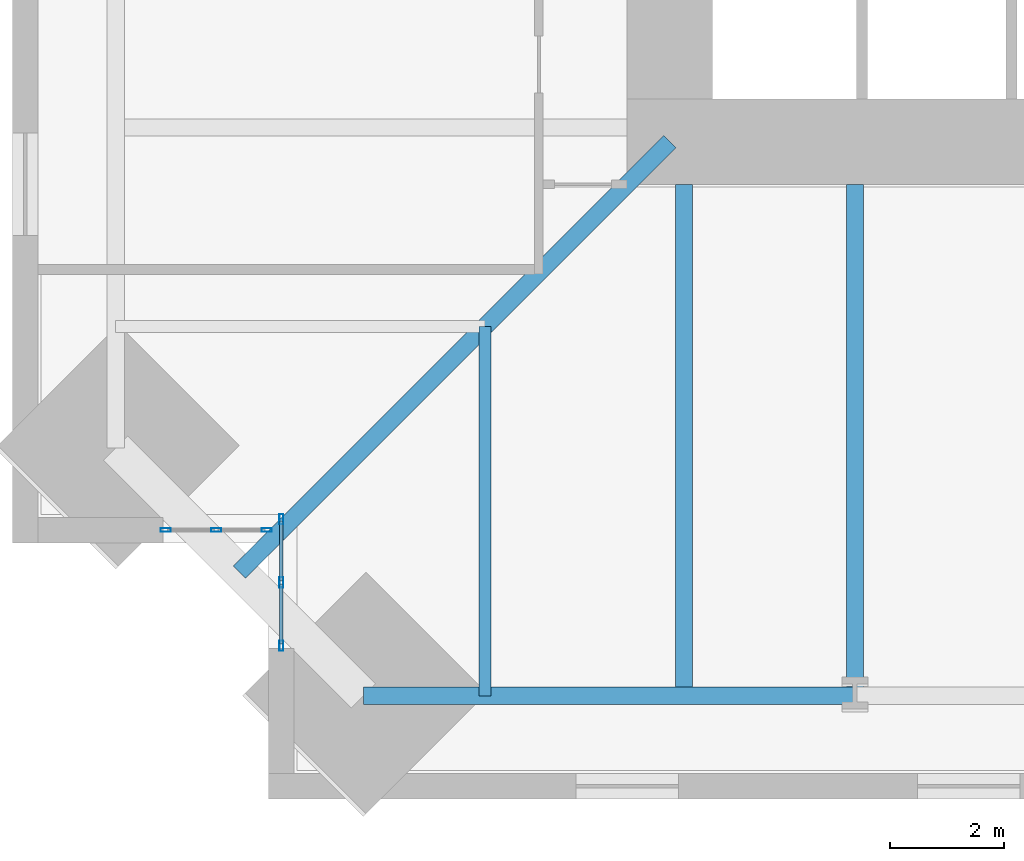
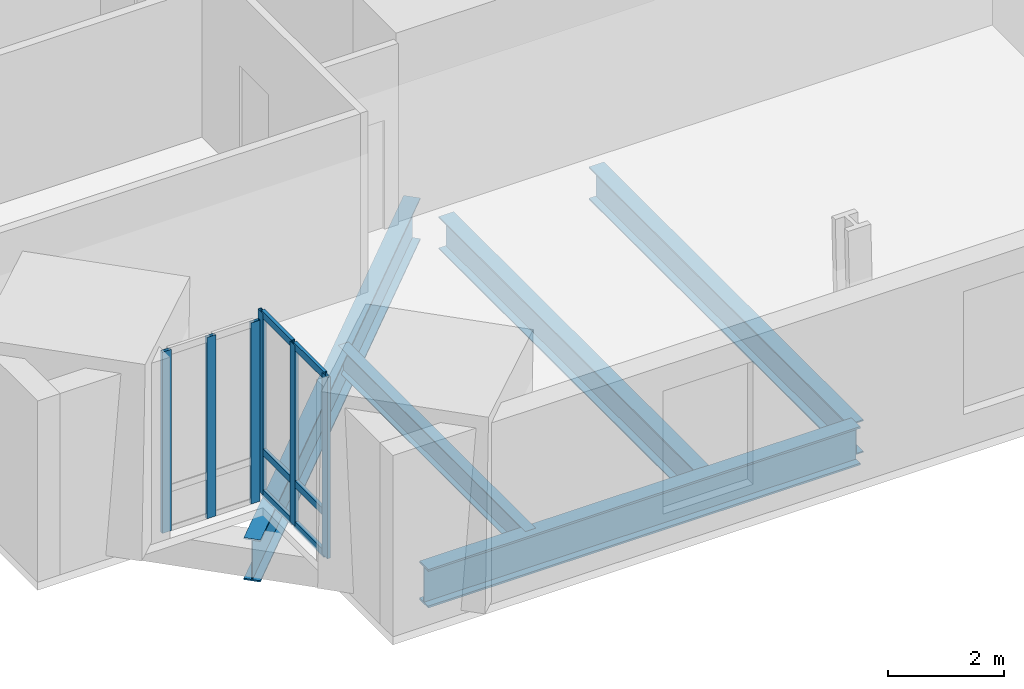
# One storey, part 2 of 15: 12 members, 5 beams, 2 elements without a shape of their own.
"""IFC4 building model written with IfcOpenShell, lengths in metres."""

from ifc_helpers import new_model, si_unit, direction, frame, origin, origin_2d, place, context, subcontext, project, spatial, hollow_rectangle, i_section, extrude, material, material_profile, profile_set, type_object, element, aggregate, save


model = new_model("IFC4")

# Units and contexts
model_context = context("Model", 3, precision=1e-05, world=origin(), true_north=direction((0.0, 1.0)))
body_context = subcontext(model_context, "Body", "Model", "MODEL_VIEW")
ifc_project = project(units=[si_unit("LENGTHUNIT", "METRE"), si_unit("AREAUNIT", "SQUARE_METRE"), si_unit("VOLUMEUNIT", "CUBIC_METRE"), si_unit("PLANEANGLEUNIT", "RADIAN"), si_unit("MASSUNIT", "GRAM", prefix="KILO")], contexts=[model_context])

# Site, building, storey
site_placement = place(None, origin())
site = spatial("IfcSite", under=ifc_project, at=site_placement, CompositionType="ELEMENT")
building_placement = place(site_placement, origin())
building = spatial("IfcBuilding", under=site, at=building_placement, Name="Peilmerk Tower", CompositionType="ELEMENT")
storey_placement = place(building_placement, frame((0.0, 0.0, 245.800048828125)))
storey = spatial("IfcBuildingStorey", under=building, at=storey_placement, Name="L54", CompositionType="ELEMENT", Elevation=245.800048828125)

# Beams
ifc_material_1 = material(Name="Steel S355", Category="steel")
ifc_material_profile_1 = material_profile(ifc_material_1, i_section(OverallWidth=0.2099609375, OverallDepth=0.550048828125, WebThickness=0.010986328125, FlangeThickness=0.01708984375, at=origin_2d()), Name="IPE 550")
ifc_profile_set_1 = profile_set([ifc_material_profile_1], Name="Steel S355")
beam_type_1 = type_object("IfcBeamType", Name="B12 IPE 550 floor beam", PredefinedType="BEAM", material=ifc_profile_set_1)
beam_1_placement = place(storey_placement, frame((-14.5, -14.5, -0.445068359375), z_axis=(0.0, -1.0, 0.0), x_axis=(1.0, 0.0, 0.0)))
element("IfcBeam", 1, at=beam_1_placement, inside=storey, type_object=beam_type_1, Name="Floor beam L54", PredefinedType="BEAM", context=body_context, shape_type="SweptSolid", body=[
    extrude(i_section(OverallWidth=0.2099609375, OverallDepth=0.550048828125, WebThickness=0.010986328125, FlangeThickness=0.01708984375, at=origin_2d()), origin(), (0.0, 0.0, 1.0), 6.485595703125),
])
ifc_material_profile_2 = material_profile(ifc_material_1, i_section(OverallWidth=0.302978515625, OverallDepth=0.81396484375, WebThickness=0.02099609375, FlangeThickness=0.0400390625, at=origin_2d()), Name="HEM 800")
ifc_profile_set_2 = profile_set([ifc_material_profile_2], Name="Steel S355")
beam_type_2 = type_object("IfcBeamType", Name="B15 HEM 800 edge beam", PredefinedType="SPANDREL", material=ifc_profile_set_2)
beam_2_placement = place(storey_placement, frame((-16.635498046875, -20.985595703125, -0.5771484375), z_axis=(1.0, 0.0, 0.0), x_axis=(0.0, 1.0, 0.0)))
element("IfcBeam", 2, at=beam_2_placement, inside=storey, type_object=beam_type_2, Name="Edge beam L54", PredefinedType="SPANDREL", context=body_context, shape_type="SweptSolid", body=[
    extrude(i_section(OverallWidth=0.302978515625, OverallDepth=0.81396484375, WebThickness=0.02099609375, FlangeThickness=0.0400390625, at=origin_2d()), origin(), (0.0, 0.0, 1.0), 8.635498046875),
])
ifc_material_profile_3 = material_profile(ifc_material_1, i_section(OverallWidth=0.300048828125, OverallDepth=0.68994140625, WebThickness=0.014404296875, FlangeThickness=0.027099609375, at=origin_2d()), Name="HEA 700")
ifc_profile_set_3 = profile_set([ifc_material_profile_3], Name="Steel S355")
beam_type_3 = type_object("IfcBeamType", Name="B16 HEA 700 floor beam", PredefinedType="BEAM", material=ifc_profile_set_3)
for number, where, z_axis, x_axis, name in (
    (3, (-11.0, -12.0, -0.51513671875), (0.0, -1.0, 0.0), (1.0, 0.0, 0.0), "Floor beam L54"),
    (4, (-8.0, -12.0, -0.51513671875), (0.0, -1.0, 0.0), (1.0, 0.0, 0.0), "Floor beam L54"),
):
    element("IfcBeam", number, at=place(storey_placement, frame(where, z_axis=z_axis, x_axis=x_axis)), inside=storey, type_object=beam_type_3, Name=name, PredefinedType="BEAM", context=body_context, shape_type="SweptSolid", body=[
        extrude(i_section(OverallWidth=0.300048828125, OverallDepth=0.68994140625, WebThickness=0.014404296875, FlangeThickness=0.027099609375, at=origin_2d()), origin(), (0.0, 0.0, 1.0), 8.985595703125),
    ])
ifc_material_profile_4 = material_profile(ifc_material_1, i_section(OverallWidth=0.300048828125, OverallDepth=0.889892578125, WebThickness=0.01611328125, FlangeThickness=0.030029296875, at=origin_2d()), Name="HEA 900")
ifc_profile_set_4 = profile_set([ifc_material_profile_4], Name="Steel S355")
beam_type_4 = type_object("IfcBeamType", Name="B4 HEA 900 floor beam", PredefinedType="BEAM", material=ifc_profile_set_4)
beam_3_placement = place(storey_placement, frame((-11.25, -11.25, -0.614990234375), z_axis=(-0.707106781187, -0.707106781187, 0.0), x_axis=(0.707106781187, -0.707106781187, 0.0)))
element("IfcBeam", 5, at=beam_3_placement, inside=storey, type_object=beam_type_4, Name="Corner girder L54", PredefinedType="BEAM", context=body_context, shape_type="SweptSolid", body=[
    extrude(i_section(OverallWidth=0.300048828125, OverallDepth=0.889892578125, WebThickness=0.01611328125, FlangeThickness=0.030029296875, at=origin_2d()), origin(), (0.0, 0.0, 1.0), 10.692138671875),
])

# Curtain wall, members
ifc_material_2 = material(Name="Aluminium stick curtain wall", Category="aluminium")
curtain_wall_type = type_object("IfcCurtainWallType", Name="CW4 stick curtain wall, 2250 module", PredefinedType="NOTDEFINED", material=ifc_material_2)
curtain_wall_1_placement = place(storey_placement, origin())
curtain_wall_1 = element("IfcCurtainWall", 6, at=curtain_wall_1_placement, inside=storey, type_object=curtain_wall_type, Name="Curtain wall CW4 SWA L54", PredefinedType="NOTDEFINED")
ifc_material_3 = material(Name="Aluminium EN AW-6063 T6", Category="aluminium")
ifc_material_profile_5 = material_profile(ifc_material_3, hollow_rectangle(XDim=0.06494140625, YDim=0.179931640625, WallThickness=0.0029296875, at=origin_2d()), Name="AL 180x65x3")
ifc_profile_set_5 = profile_set([ifc_material_profile_5], Name="Aluminium EN AW-6063 T6")
member_type_1 = type_object("IfcMemberType", Name="CW4-M AL 180x65x3 mullion", PredefinedType="MULLION", material=ifc_profile_set_5)
member_1_placement = place(storey_placement, frame((-18.074951171875, -17.882568359375, 0.0), z_axis=(0.0, 0.0, 1.0), x_axis=(1.0, 0.0, 0.0)))
member_1 = element("IfcMember", 7, at=member_1_placement, type_object=member_type_1, Name="CW4 mullion 1", PredefinedType="MULLION", context=body_context, shape_type="SweptSolid", body=[
    extrude(hollow_rectangle(XDim=0.06494140625, YDim=0.179931640625, WallThickness=0.0029296875, at=origin_2d()), origin(), (0.0, 0.0, 1.0), 3.829833984375),
])
member_2_placement = place(storey_placement, frame((-18.074951171875, -18.994384765625, 0.0), z_axis=(0.0, 0.0, 1.0), x_axis=(1.0, 0.0, 0.0)))
member_2 = element("IfcMember", 8, at=member_2_placement, type_object=member_type_1, Name="CW4 mullion 2", PredefinedType="MULLION", context=body_context, shape_type="SweptSolid", body=[
    extrude(hollow_rectangle(XDim=0.06494140625, YDim=0.179931640625, WallThickness=0.0029296875, at=origin_2d()), origin(), (0.0, 0.0, 1.0), 3.829833984375),
])
member_3_placement = place(storey_placement, frame((-18.074951171875, -20.106201171875, 0.0), z_axis=(0.0, 0.0, 1.0), x_axis=(1.0, 0.0, 0.0)))
member_3 = element("IfcMember", 9, at=member_3_placement, type_object=member_type_1, Name="CW4 mullion 3", PredefinedType="MULLION", context=body_context, shape_type="SweptSolid", body=[
    extrude(hollow_rectangle(XDim=0.06494140625, YDim=0.179931640625, WallThickness=0.0029296875, at=origin_2d()), origin(), (0.0, 0.0, 1.0), 3.829833984375),
])

curtain_wall_2_placement = place(storey_placement, origin())
curtain_wall_2 = element("IfcCurtainWall", 10, at=curtain_wall_2_placement, inside=storey, type_object=curtain_wall_type, Name="Curtain wall CW4 SWB L54", PredefinedType="NOTDEFINED")
member_4_placement = place(storey_placement, frame((-18.33251953125, -18.074951171875, 0.0), z_axis=(0.0, 0.0, 1.0), x_axis=(0.0, -1.0, 0.0)))
member_4 = element("IfcMember", 11, at=member_4_placement, type_object=member_type_1, Name="CW4 mullion 1", PredefinedType="MULLION", context=body_context, shape_type="SweptSolid", body=[
    extrude(hollow_rectangle(XDim=0.06494140625, YDim=0.179931640625, WallThickness=0.0029296875, at=origin_2d()), origin(), (0.0, 0.0, 1.0), 3.829833984375),
])
member_5_placement = place(storey_placement, frame((-19.21923828125, -18.074951171875, 0.0), z_axis=(0.0, 0.0, 1.0), x_axis=(0.0, -1.0, 0.0)))
member_5 = element("IfcMember", 12, at=member_5_placement, type_object=member_type_1, Name="CW4 mullion 2", PredefinedType="MULLION", context=body_context, shape_type="SweptSolid", body=[
    extrude(hollow_rectangle(XDim=0.06494140625, YDim=0.179931640625, WallThickness=0.0029296875, at=origin_2d()), origin(), (0.0, 0.0, 1.0), 3.829833984375),
])
member_6_placement = place(storey_placement, frame((-20.106201171875, -18.074951171875, 0.0), z_axis=(0.0, 0.0, 1.0), x_axis=(0.0, -1.0, 0.0)))
member_6 = element("IfcMember", 13, at=member_6_placement, type_object=member_type_1, Name="CW4 mullion 3", PredefinedType="MULLION", context=body_context, shape_type="SweptSolid", body=[
    extrude(hollow_rectangle(XDim=0.06494140625, YDim=0.179931640625, WallThickness=0.0029296875, at=origin_2d()), origin(), (0.0, 0.0, 1.0), 3.829833984375),
])
aggregate(curtain_wall_2, [member_4, member_5, member_6])

# Member
ifc_material_profile_6 = material_profile(ifc_material_3, hollow_rectangle(XDim=0.06494140625, YDim=0.14990234375, WallThickness=0.0029296875, at=origin_2d()), Name="AL 150x65x3")
ifc_profile_set_6 = profile_set([ifc_material_profile_6], Name="Aluminium EN AW-6063 T6")
member_type_2 = type_object("IfcMemberType", Name="CW4-T AL 150x65x3 transom", PredefinedType="USERDEFINED", material=ifc_profile_set_6)
member_7_placement = place(storey_placement, frame((-18.074951171875, -17.9150390625, 0.032470703125), z_axis=(0.0, -1.0, 0.0), x_axis=(1.0, 0.0, 0.0)))
member_7 = element("IfcMember", 14, at=member_7_placement, type_object=member_type_2, Name="CW4 transom 1.1", ObjectType="TRANSOM", PredefinedType="USERDEFINED", context=body_context, shape_type="SweptSolid", body=[
    extrude(hollow_rectangle(XDim=0.06494140625, YDim=0.14990234375, WallThickness=0.0029296875, at=origin_2d()), origin(), (0.0, 0.0, 1.0), 1.046875),
])

member_8_placement = place(storey_placement, frame((-18.074951171875, -17.9150390625, 0.89990234375), z_axis=(0.0, -1.0, 0.0), x_axis=(1.0, 0.0, 0.0)))
member_8 = element("IfcMember", 15, at=member_8_placement, type_object=member_type_2, Name="CW4 transom 1.2", ObjectType="TRANSOM", PredefinedType="USERDEFINED", context=body_context, shape_type="SweptSolid", body=[
    extrude(hollow_rectangle(XDim=0.06494140625, YDim=0.14990234375, WallThickness=0.0029296875, at=origin_2d()), origin(), (0.0, 0.0, 1.0), 1.046875),
])

member_9_placement = place(storey_placement, frame((-18.074951171875, -17.9150390625, 3.79736328125), z_axis=(0.0, -1.0, 0.0), x_axis=(1.0, 0.0, 0.0)))
member_9 = element("IfcMember", 16, at=member_9_placement, type_object=member_type_2, Name="CW4 transom 1.3", ObjectType="TRANSOM", PredefinedType="USERDEFINED", context=body_context, shape_type="SweptSolid", body=[
    extrude(hollow_rectangle(XDim=0.06494140625, YDim=0.14990234375, WallThickness=0.0029296875, at=origin_2d()), origin(), (0.0, 0.0, 1.0), 1.046875),
])

member_10_placement = place(storey_placement, frame((-18.074951171875, -19.02685546875, 0.032470703125), z_axis=(0.0, -1.0, 0.0), x_axis=(1.0, 0.0, 0.0)))
member_10 = element("IfcMember", 17, at=member_10_placement, type_object=member_type_2, Name="CW4 transom 2.1", ObjectType="TRANSOM", PredefinedType="USERDEFINED", context=body_context, shape_type="SweptSolid", body=[
    extrude(hollow_rectangle(XDim=0.06494140625, YDim=0.14990234375, WallThickness=0.0029296875, at=origin_2d()), origin(), (0.0, 0.0, 1.0), 1.046875),
])

member_11_placement = place(storey_placement, frame((-18.074951171875, -19.02685546875, 0.89990234375), z_axis=(0.0, -1.0, 0.0), x_axis=(1.0, 0.0, 0.0)))
member_11 = element("IfcMember", 18, at=member_11_placement, type_object=member_type_2, Name="CW4 transom 2.2", ObjectType="TRANSOM", PredefinedType="USERDEFINED", context=body_context, shape_type="SweptSolid", body=[
    extrude(hollow_rectangle(XDim=0.06494140625, YDim=0.14990234375, WallThickness=0.0029296875, at=origin_2d()), origin(), (0.0, 0.0, 1.0), 1.046875),
])

member_12_placement = place(storey_placement, frame((-18.074951171875, -19.02685546875, 3.79736328125), z_axis=(0.0, -1.0, 0.0), x_axis=(1.0, 0.0, 0.0)))
member_12 = element("IfcMember", 19, at=member_12_placement, type_object=member_type_2, Name="CW4 transom 2.3", ObjectType="TRANSOM", PredefinedType="USERDEFINED", context=body_context, shape_type="SweptSolid", body=[
    extrude(hollow_rectangle(XDim=0.06494140625, YDim=0.14990234375, WallThickness=0.0029296875, at=origin_2d()), origin(), (0.0, 0.0, 1.0), 1.046875),
])

aggregate(curtain_wall_1, [member_1, member_2, member_3, member_7, member_8, member_9, member_10, member_11, member_12])

save(model, "model.ifc")
